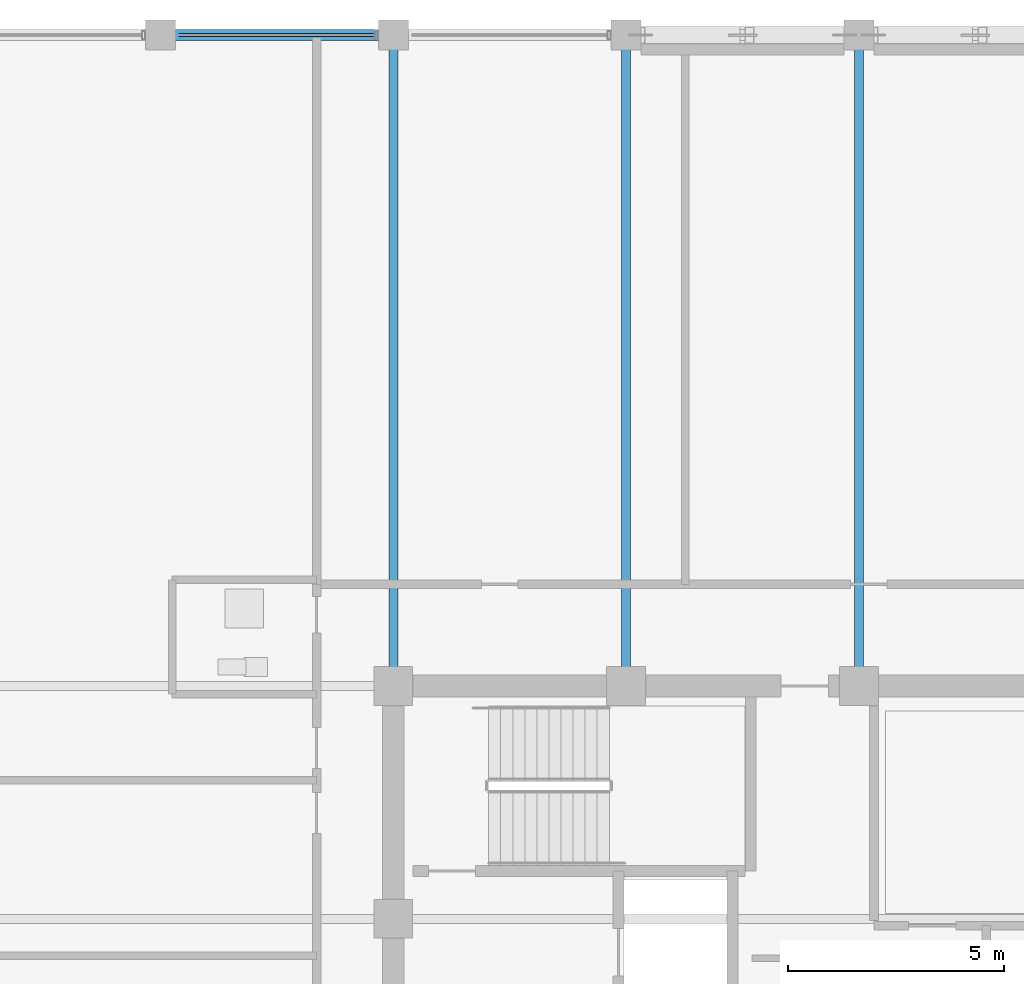
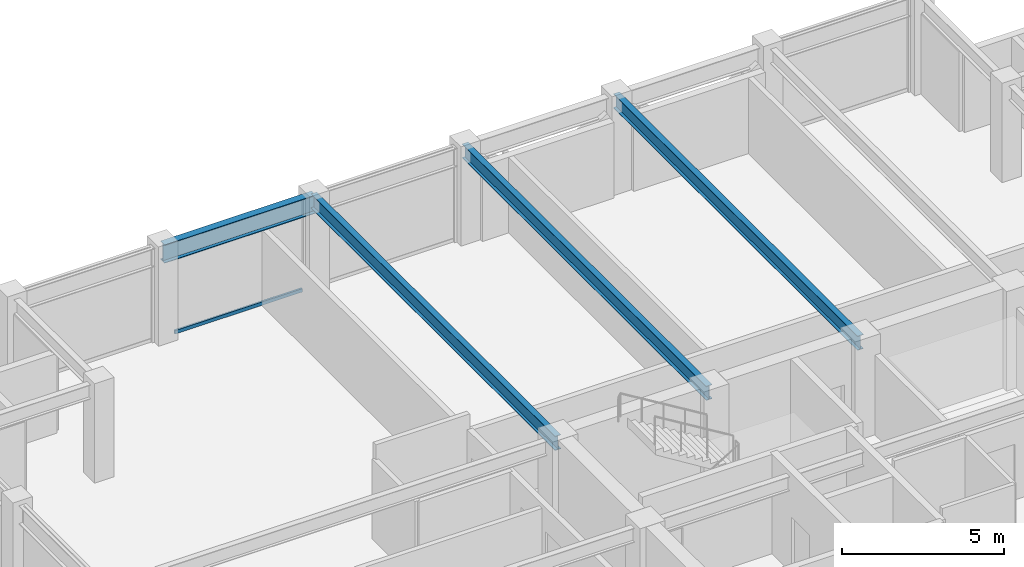
# One storey, part 16 of 31: 4 beams, 1 member, 1 element without a shape of its own.
"""IFC4 building model written with IfcOpenShell, lengths in metres."""

from ifc_helpers import new_model, si_unit, direction, frame, origin, origin_2d, place, context, subcontext, project, spatial, hollow_rectangle, i_section, extrude, material, layer, layer_set, material_profile, profile_set, type_object, element, aggregate, save


model = new_model("IFC4")

# Units and contexts
model_context = context("Model", 3, precision=1e-05, world=origin(), true_north=direction((0.0, 1.0)))
body_context = subcontext(model_context, "Body", "Model", "MODEL_VIEW")
ifc_project = project(units=[si_unit("LENGTHUNIT", "METRE"), si_unit("AREAUNIT", "SQUARE_METRE"), si_unit("VOLUMEUNIT", "CUBIC_METRE"), si_unit("PLANEANGLEUNIT", "RADIAN"), si_unit("MASSUNIT", "GRAM", prefix="KILO")], contexts=[model_context])

# Site, building, storey
site_placement = place(None, origin())
site = spatial("IfcSite", under=ifc_project, at=site_placement, CompositionType="ELEMENT")
building_placement = place(site_placement, origin())
building = spatial("IfcBuilding", under=site, at=building_placement, Name="Surkhivell Harbour Commons", CompositionType="ELEMENT")
storey_placement = place(building_placement, frame((0.0, 0.0, 266.25)))
storey = spatial("IfcBuildingStorey", under=building, at=storey_placement, Name="L69", CompositionType="ELEMENT", Elevation=266.25)

# Beams
ifc_material_1 = material(Name="Steel S355", Category="steel")
ifc_material_profile_1 = material_profile(ifc_material_1, i_section(OverallWidth=0.2099609375, OverallDepth=0.537109375, WebThickness=0.0107421875, FlangeThickness=0.017333984375, at=origin_2d()), Name="UB533x210x101")
ifc_profile_set_1 = profile_set([ifc_material_profile_1], Name="Steel S355")
beam_type_1 = type_object("IfcBeamType", Name="BM-GRD-533B", PredefinedType="BEAM", material=ifc_profile_set_1)
for number, where, z_axis, x_axis, name in (
    (1, (-10.800048828125, 10.800048828125, 3.301513671875), (0.0, 1.0, 0.0), (-1.0, 0.0, 0.0), "L69 Floor Girder (-10.8,10.8)"),
    (2, (-5.39990234375, 10.800048828125, 3.301513671875), (0.0, 1.0, 0.0), (-1.0, 0.0, 0.0), "L69 Floor Girder (-5.4,10.8)"),
    (3, (0.0, 10.800048828125, 3.301513671875), (0.0, 1.0, 0.0), (-1.0, 0.0, 0.0), "L69 Floor Girder (0.0,10.8)"),
):
    element("IfcBeam", number, at=place(storey_placement, frame(where, z_axis=z_axis, x_axis=x_axis)), inside=storey, type_object=beam_type_1, Name=name, PredefinedType="BEAM", context=body_context, shape_type="SweptSolid", body=[
        extrude(i_section(OverallWidth=0.2099609375, OverallDepth=0.537109375, WebThickness=0.0107421875, FlangeThickness=0.017333984375, at=origin_2d()), origin(), (0.0, 0.0, 1.0), 15.099853515625),
    ])
ifc_material_profile_2 = material_profile(ifc_material_1, i_section(OverallWidth=0.256103515625, OverallDepth=0.693115234375, WebThickness=0.014404296875, FlangeThickness=0.023681640625, at=origin_2d()), Name="UB686x254x170")
ifc_profile_set_2 = profile_set([ifc_material_profile_2], Name="Steel S355")
beam_type_2 = type_object("IfcBeamType", Name="BM-SPN-686", PredefinedType="SPANDREL", material=ifc_profile_set_2)
beam_placement = place(storey_placement, frame((-16.199951171875, 25.89990234375, 3.223388671875), z_axis=(1.0, 0.0, 0.0), x_axis=(0.0, 1.0, 0.0)))
element("IfcBeam", 4, at=beam_placement, inside=storey, type_object=beam_type_2, Name="L69 Tube Spandrel (-16.2,25.9)", PredefinedType="SPANDREL", context=body_context, shape_type="SweptSolid", body=[
    extrude(i_section(OverallWidth=0.256103515625, OverallDepth=0.693115234375, WebThickness=0.014404296875, FlangeThickness=0.023681640625, at=origin_2d()), origin(), (0.0, 0.0, 1.0), 5.39990234375),
])

# Curtain wall, member
ifc_material_2 = material(Name="Anodised pale-metal aluminium and insulated glazing", Category="aluminium")
ifc_layer = layer(ifc_material_2, 0.175048828125)
ifc_layer_set = layer_set([ifc_layer], Name="Anodised pale-metal aluminium and insulated glazing")
curtain_wall_type = type_object("IfcCurtainWallType", Name="CW-SYS-Z4", PredefinedType="NOTDEFINED", material=ifc_layer_set)
curtain_wall_placement = place(storey_placement, origin())
curtain_wall = element("IfcCurtainWall", 5, at=curtain_wall_placement, inside=storey, type_object=curtain_wall_type, Name="L69 Curtain Wall CW-L69-E07S2", PredefinedType="NOTDEFINED")
ifc_material_3 = material(Name="Champagne anodised aluminium alloy 6063-T6", Category="aluminium")
ifc_material_profile_3 = material_profile(ifc_material_3, hollow_rectangle(XDim=0.070068359375, YDim=0.1298828125, WallThickness=0.00341796875, at=origin_2d()), Name="ALU-TRAN-70x130")
ifc_profile_set_3 = profile_set([ifc_material_profile_3], Name="Champagne anodised aluminium alloy 6063-T6")
member_type = type_object("IfcMemberType", Name="CWT-130", PredefinedType="USERDEFINED", material=ifc_profile_set_3)
member_placement = place(storey_placement, frame((-11.22705078125, 25.89990234375, 0.06494140625), z_axis=(-1.0, 0.0, 0.0), x_axis=(0.0, -1.0, 0.0)))
member = element("IfcMember", 6, at=member_placement, type_object=member_type, Name="CW-Z4 transom 2.1", ObjectType="TRANSOM", PredefinedType="USERDEFINED", context=body_context, shape_type="SweptSolid", body=[
    extrude(hollow_rectangle(XDim=0.070068359375, YDim=0.1298828125, WallThickness=0.00341796875, at=origin_2d()), origin(), (0.0, 0.0, 1.0), 4.5458984375),
])
aggregate(curtain_wall, [member])

save(model, "model.ifc")
